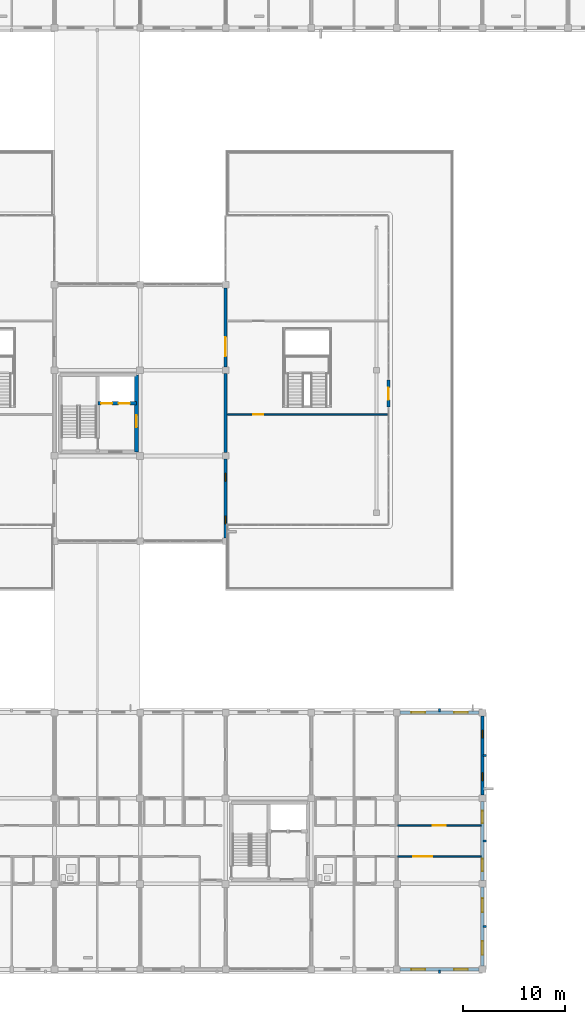
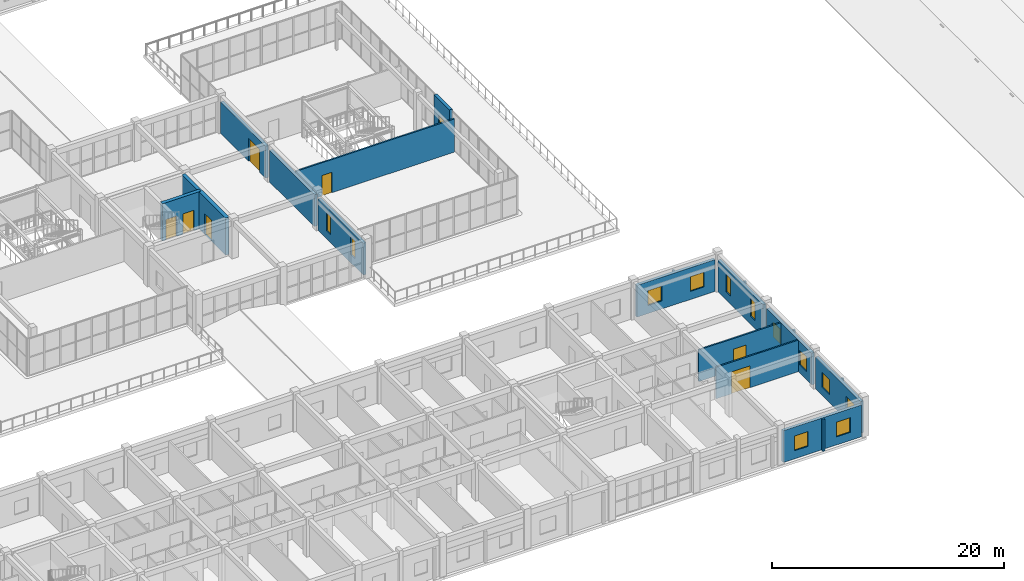
# One storey, part 67 of 90: 19 walls, 12 windows, 8 doors, 20 openings.
"""IFC4 building model written with IfcOpenShell, lengths in metres."""

import ifcopenshell
import ifcopenshell.guid

model = None  # the IFC model being written
_history = None  # IfcOwnerHistory: only IFC2X3 demands one
_inside = {}  # id of a spatial element -> (the spatial element, [elements in it])
_under = {}  # id of a project, library or spatial element -> (it, [spatial elements below it])
_declared = {}  # id of a project -> (the project, [libraries it declares])
_typed = {}  # id of a type object -> (the type object, [elements of that type])
_made_of = {}  # id of a material, layer set ... -> (it, [elements and type objects made of it])


def new_model(schema):
    """Start an empty IFC model of exactly this schema.

    Asked for "IFC4X3", IfcOpenShell would pick the latest addendum, in which some entities
    have other attributes; the version numbers below select the first issue.
    IFC2X3 requires an IfcOwnerHistory on every rooted entity: one is made here for all.
    """
    global model, _history
    if schema == "IFC4X3":
        model = ifcopenshell.file(schema_version=(4, 3, 0, 0))
    else:
        model = ifcopenshell.file(schema=schema)
    _inside.clear()
    _under.clear()
    _declared.clear()
    _typed.clear()
    _made_of.clear()
    _history = None
    if model.schema == "IFC2X3":
        org = make("IfcOrganization", Name="unknown")
        user = make(
            "IfcPersonAndOrganization",
            ThePerson=make("IfcPerson", FamilyName="unknown"),
            TheOrganization=org,
        )
        app = make(
            "IfcApplication",
            ApplicationDeveloper=org,
            Version="unknown",
            ApplicationFullName="unknown",
            ApplicationIdentifier="unknown",
        )
        _history = make(
            "IfcOwnerHistory",
            OwningUser=user,
            OwningApplication=app,
            ChangeAction="ADDED",
            CreationDate=0,
        )
    return model


def make(cls, **values):
    """One entity of the class cls with the attributes given. An attribute that is None is left unset."""
    return model.create_entity(
        cls, **{name: value for name, value in values.items() if value is not None}
    )


def rooted(cls, **values):
    """An entity with a GlobalId (a new one), such as an element, a storey or a relation."""
    return make(cls, GlobalId=ifcopenshell.guid.new(), OwnerHistory=_history, **values)


def si_unit(unit_type, name, prefix=None):
    """IfcSIUnit, for example si_unit("LENGTHUNIT", "METRE", prefix="MILLI")."""
    return make("IfcSIUnit", UnitType=unit_type, Prefix=prefix, Name=name)


def assignment(units):
    """IfcUnitAssignment: the units of a project."""
    return None if units is None else make("IfcUnitAssignment", Units=units)


def point(xyz):
    """IfcCartesianPoint."""
    return None if xyz is None else make("IfcCartesianPoint", Coordinates=xyz)


def direction(xyz):
    """IfcDirection."""
    return None if xyz is None else make("IfcDirection", DirectionRatios=xyz)


def frame(location, z_axis=None, x_axis=None):
    """IfcAxis2Placement3D, a coordinate frame: its origin and axes. An axis left out is left unset."""
    return make(
        "IfcAxis2Placement3D",
        Location=point(location),
        Axis=direction(z_axis),
        RefDirection=direction(x_axis),
    )


def frame_2d(location, x_axis=None):
    """IfcAxis2Placement2D, a coordinate frame in the plane: its origin and x axis."""
    return make(
        "IfcAxis2Placement2D", Location=point(location), RefDirection=direction(x_axis)
    )


def origin():
    """The frame at (0, 0, 0) with its axes left unset."""
    return frame((0.0, 0.0, 0.0))


def place(relative_to, where):
    """IfcLocalPlacement: puts the frame where relative to a parent placement (None: the world)."""
    return make(
        "IfcLocalPlacement", PlacementRelTo=relative_to, RelativePlacement=where
    )


def context(
    kind, dimensions, precision=None, world=None, true_north=None, identifier=None
):
    """IfcGeometricRepresentationContext, for example the 3D "Model" context."""
    return make(
        "IfcGeometricRepresentationContext",
        ContextIdentifier=identifier,
        ContextType=kind,
        CoordinateSpaceDimension=dimensions,
        Precision=precision,
        WorldCoordinateSystem=world,
        TrueNorth=true_north,
    )


def subcontext(parent, identifier, kind, view, scale=None):
    """IfcGeometricRepresentationSubContext, for example "Body" below "Model"."""
    return make(
        "IfcGeometricRepresentationSubContext",
        ContextIdentifier=identifier,
        ContextType=kind,
        ParentContext=parent,
        TargetScale=scale,
        TargetView=view,
    )


def project(units=None, contexts=None):
    """IfcProject with its units and contexts."""
    return rooted(
        "IfcProject",
        Name="project",
        RepresentationContexts=contexts,
        UnitsInContext=assignment(units),
    )


def spatial(cls, under=None, at=None, **own):
    """A site, building, storey or space (cls), placed at a placement, below another one or the project."""
    s = rooted(cls, ObjectPlacement=at, **own)
    if under is not None:
        _under.setdefault(under.id(), (under, []))[1].append(s)
    return s


def profile(cls, at=None, kind="AREA", **sizes):
    """A parametric profile (cls). Its sizes go by their IFC names, for example OverallWidth=200.0."""
    return make(cls, ProfileType=kind, Position=at, **sizes)


def rectangle(**sizes):
    """IfcRectangleProfileDef."""
    return profile("IfcRectangleProfileDef", **sizes)


def extrude(swept, where, along, depth):
    """IfcExtrudedAreaSolid: the profile swept, set in the frame where, extruded along a direction by depth."""
    return make(
        "IfcExtrudedAreaSolid",
        SweptArea=swept,
        Position=where,
        ExtrudedDirection=direction(along),
        Depth=depth,
    )


def shape(context_of_items, identifier, shape_type, items):
    """IfcShapeRepresentation: the items that make up one representation, for example the "Body"."""
    return make(
        "IfcShapeRepresentation",
        ContextOfItems=context_of_items,
        RepresentationIdentifier=identifier,
        RepresentationType=shape_type,
        Items=items,
    )


def material(Name=None, Category=None):
    """IfcMaterial."""
    return make("IfcMaterial", Name=Name, Category=Category)


def layer(
    of_material, thickness, ventilated=None, Name=None, Category=None, Priority=None
):
    """IfcMaterialLayer: one layer of a wall or slab, of a material (None: an air gap)."""
    return make(
        "IfcMaterialLayer",
        Material=of_material,
        LayerThickness=thickness,
        IsVentilated=ventilated,
        Name=Name,
        Category=Category,
        Priority=Priority,
    )


def layer_set(layers, Name=None):
    """IfcMaterialLayerSet."""
    return make("IfcMaterialLayerSet", MaterialLayers=layers, LayerSetName=Name)


def made_of(thing, what):
    """Note that an element or type object is made of a material, layer set ...; save() writes the relation."""
    if what is not None:
        _made_of.setdefault(what.id(), (what, []))[1].append(thing)
    return thing


def type_object(cls, material=None, **own):
    """A type object (cls), such as IfcWallType, which elements share."""
    return made_of(rooted(cls, **own), material)


def element(
    cls,
    number,
    at=None,
    inside=None,
    cuts=None,
    type_object=None,
    material=None,
    context=None,
    identifier="Body",
    shape_type=None,
    held_by="IfcProductDefinitionShape",
    body=None,
    shapes=None,
    **own,
):
    """One element of the class cls, such as IfcWall. Its Tag is "e" and its number.

    at: its placement. inside: the storey or other place that contains it. cuts: it is an
    opening in that element (IfcRelVoidsElement). A single representation is given by context,
    identifier, shape_type and body (its items); several are given by shapes. held_by: the class
    of the entity that holds the representations. save() writes the other relations.
    """
    e = rooted(cls, Tag="e%d" % number, ObjectPlacement=at, **own)
    if body is not None:
        shapes = [shape(context, identifier, shape_type, body)]
    if shapes is not None:
        e.Representation = make(held_by, Representations=shapes)
    if inside is not None:
        _inside.setdefault(inside.id(), (inside, []))[1].append(e)
    if cuts is not None:
        rooted(
            "IfcRelVoidsElement", RelatingBuildingElement=cuts, RelatedOpeningElement=e
        )
    if type_object is not None:
        _typed.setdefault(type_object.id(), (type_object, []))[1].append(e)
    return made_of(e, material)


def fill(opening, filler):
    """IfcRelFillsElement: the door or window that sits in an opening."""
    return rooted(
        "IfcRelFillsElement",
        RelatingOpeningElement=opening,
        RelatedBuildingElement=filler,
    )


def aggregate(whole, parts):
    """IfcRelAggregates: a whole, such as a stair, and the parts it consists of."""
    return rooted("IfcRelAggregates", RelatingObject=whole, RelatedObjects=parts)


def save(model, path):
    """Write the relations noted so far, then the file.

    IfcRelAggregates (storeys below a building ...), IfcRelContainedInSpatialStructure (elements
    in a storey), IfcRelDefinesByType, IfcRelAssociatesMaterial and IfcRelDeclares: one each for
    every whole, place, type object, material and project.
    """
    for whole, parts in _under.values():
        aggregate(whole, parts)
    for where, things in _inside.values():
        rooted(
            "IfcRelContainedInSpatialStructure",
            RelatedElements=things,
            RelatingStructure=where,
        )
    for kind, things in _typed.values():
        rooted("IfcRelDefinesByType", RelatedObjects=things, RelatingType=kind)
    for what, things in _made_of.values():
        rooted("IfcRelAssociatesMaterial", RelatedObjects=things, RelatingMaterial=what)
    for by, libraries in _declared.values():
        rooted("IfcRelDeclares", RelatingContext=by, RelatedDefinitions=libraries)
    model.write(path)


model = new_model("IFC4")

# Units and contexts
model_context = context("Model", 3, precision=1e-05, world=origin(), true_north=direction((0.0, 1.0)))
body_context = subcontext(model_context, "Body", "Model", "MODEL_VIEW")
ifc_project = project(units=[si_unit("LENGTHUNIT", "METRE"), si_unit("AREAUNIT", "SQUARE_METRE"), si_unit("VOLUMEUNIT", "CUBIC_METRE"), si_unit("PLANEANGLEUNIT", "RADIAN"), si_unit("MASSUNIT", "GRAM", prefix="KILO")], contexts=[model_context])

# Site, building, storey
site_placement = place(None, origin())
site = spatial("IfcSite", under=ifc_project, at=site_placement, CompositionType="ELEMENT")
building_placement = place(site_placement, origin())
building = spatial("IfcBuilding", under=site, at=building_placement, Name="Trelvath General Hospital", CompositionType="ELEMENT")
storey_placement = place(building_placement, frame((0.0, 0.0, 20.39990234375)))
storey = spatial("IfcBuildingStorey", under=building, at=storey_placement, Name="L05", CompositionType="ELEMENT", Elevation=20.39990234375)

# Walls
ifc_material_1 = material(Name="Precast concrete C40/50", Category="concrete")
ifc_layer_1 = layer(ifc_material_1, 0.199951171875)
ifc_layer_set_1 = layer_set([ifc_layer_1], Name="Precast concrete C40/50")
wall_type_1 = type_object("IfcWallType", Name="BriseSoleilRib 200", PredefinedType="ELEMENTEDWALL", material=ifc_layer_set_1)
wall_1_placement = place(storey_placement, frame((113.39990234375, -0.074951171875, 0.0), z_axis=(0.0, 0.0, 1.0), x_axis=(0.0, -1.0, 0.0)))
element("IfcWall", 1, at=wall_1_placement, inside=storey, type_object=wall_type_1, Name="Precast Concrete Brise-Soleil Rib Fin L05-396", PredefinedType="ELEMENTEDWALL", context=body_context, shape_type="SweptSolid", body=[
    extrude(rectangle(XDim=0.340087890625, YDim=0.199951171875, at=frame_2d((0.169921875, 0.0))), origin(), (0.0, 0.0, 1.0), 3.320068359375),
])
for number, where, z_axis, x_axis, name in (
    (2, (117.675048828125, 4.199951171875, 0.0), (0.0, 0.0, 1.0), (1.0, 0.0, 0.0), "Precast Concrete Brise-Soleil Rib Fin L05-397"),
    (3, (117.675048828125, 12.60009765625, 0.0), (0.0, 0.0, 1.0), (1.0, 0.0, 0.0), "Precast Concrete Brise-Soleil Rib Fin L05-398"),
):
    element("IfcWall", number, at=place(storey_placement, frame(where, z_axis=z_axis, x_axis=x_axis)), inside=storey, type_object=wall_type_1, Name=name, PredefinedType="ELEMENTEDWALL", context=body_context, shape_type="SweptSolid", body=[
        extrude(rectangle(XDim=0.33984375, YDim=0.199951171875, at=frame_2d((0.169921875, 0.0))), origin(), (0.0, 0.0, 1.0), 3.320068359375),
    ])
wall_2_placement = place(storey_placement, frame((113.39990234375, 25.27490234375, 0.0), z_axis=(0.0, 0.0, 1.0), x_axis=(0.0, 1.0, 0.0)))
element("IfcWall", 4, at=wall_2_placement, inside=storey, type_object=wall_type_1, Name="Precast Concrete Brise-Soleil Rib Fin L05-399", PredefinedType="ELEMENTEDWALL", context=body_context, shape_type="SweptSolid", body=[
    extrude(rectangle(XDim=0.340087890625, YDim=0.199951171875, at=frame_2d((0.169921875, 0.0))), origin(), (0.0, 0.0, 1.0), 3.320068359375),
])
wall_3_placement = place(storey_placement, frame((117.675048828125, 21.0, 0.0), z_axis=(0.0, 0.0, 1.0), x_axis=(1.0, 0.0, 0.0)))
element("IfcWall", 5, at=wall_3_placement, inside=storey, type_object=wall_type_1, Name="Precast Concrete Brise-Soleil Rib Fin L05-400", PredefinedType="ELEMENTEDWALL", context=body_context, shape_type="SweptSolid", body=[
    extrude(rectangle(XDim=0.33984375, YDim=0.199951171875, at=frame_2d((0.169921875, 0.0))), origin(), (0.0, 0.0, 1.0), 3.320068359375),
])

# Wall, opening, door
ifc_material_2 = material(Name="Gypsum acoustic steel-stud partition", Category="steel")
ifc_layer_2 = layer(ifc_material_2, 0.14990234375)
ifc_layer_set_2 = layer_set([ifc_layer_2], Name="Gypsum acoustic steel-stud partition")
wall_type_2 = type_object("IfcWallType", Name="ClinicalPartition 150", PredefinedType="PARTITIONING", material=ifc_layer_set_2)
wall_4_placement = place(storey_placement, frame((109.280029296875, 11.10009765625, 0.0), z_axis=(0.0, 0.0, 1.0), x_axis=(1.0, 0.0, 0.0)))
wall_4 = element("IfcWall", 6, at=wall_4_placement, inside=storey, type_object=wall_type_2, Name="Corridor Partition L05-1862", PredefinedType="PARTITIONING", context=body_context, shape_type="SweptSolid", body=[
    extrude(rectangle(XDim=8.179931640625, YDim=0.14990234375, at=frame_2d((4.08984375, 0.0))), origin(), (0.0, 0.0, 1.0), 3.320068359375),
])
opening_1_placement = place(wall_4_placement, frame((1.530029296875, 0.0, 0.0)))
opening_1 = element("IfcOpeningElement", 7, at=opening_1_placement, cuts=wall_4, Name="Opening D-5-1221", PredefinedType="OPENING", context=body_context, shape_type="SweptSolid", body=[
    extrude(rectangle(XDim=1.85009765625, YDim=2.300048828125, at=frame_2d((0.925048828125, 1.14990234375))), frame((0.0, 0.0849609375, 0.0), z_axis=(0.0, -1.0, 0.0), x_axis=(1.0, 0.0, 0.0)), (0.0, 0.0, 1.0), 0.169921875),
])
ifc_material_3 = material(Name="Fire-rated steel cross-corridor pair", Category="steel")
door_type_1 = type_object("IfcDoorType", Name="Door SmokeCross 1850x2300", OperationType="DOUBLE_SWING_LEFT", PredefinedType="DOOR", material=ifc_material_3)
door_1_placement = place(opening_1_placement, origin())
door_1 = element("IfcDoor", 8, at=door_1_placement, inside=storey, type_object=door_type_1, Name="Waiting Lounge Door L05-1221", OperationType="DOUBLE_SWING_LEFT", OverallHeight=2.300048828125, OverallWidth=1.85009765625, PredefinedType="DOOR", context=body_context, shape_type="SweptSolid", body=[
    extrude(rectangle(XDim=1.85009765625, YDim=2.300048828125, at=frame_2d((0.925048828125, 1.14990234375))), frame((0.0, 0.02490234375, 0.0), z_axis=(0.0, -1.0, 0.0), x_axis=(1.0, 0.0, 0.0)), (0.0, 0.0, 1.0), 0.050048828125),
])
fill(opening_1, door_1)

wall_5_placement = place(storey_placement, frame((117.4599609375, 14.10009765625, 0.0), z_axis=(0.0, 0.0, 1.0), x_axis=(-1.0, 0.0, 0.0)))
wall_5 = element("IfcWall", 9, at=wall_5_placement, inside=storey, type_object=wall_type_2, Name="Corridor Partition N L05-1863", PredefinedType="PARTITIONING", context=body_context, shape_type="SweptSolid", body=[
    extrude(rectangle(XDim=8.179931640625, YDim=0.14990234375, at=frame_2d((4.08984375, 0.0))), origin(), (0.0, 0.0, 1.0), 3.320068359375),
])
opening_2_placement = place(wall_5_placement, frame((3.465087890625, 0.0, 0.0)))
opening_2 = element("IfcOpeningElement", 10, at=opening_2_placement, cuts=wall_5, Name="Opening D-5-1222", PredefinedType="OPENING", context=body_context, shape_type="SweptSolid", body=[
    extrude(rectangle(XDim=1.25, YDim=2.199951171875, at=frame_2d((0.625, 1.10009765625))), frame((0.0, 0.0849609375, 0.0), z_axis=(0.0, -1.0, 0.0), x_axis=(1.0, 0.0, 0.0)), (0.0, 0.0, 1.0), 0.169921875),
])
ifc_material_4 = material(Name="Acoustic hospital timber leaf", Category="wood")
door_type_2 = type_object("IfcDoorType", Name="Door Treatment 1250x2200", OperationType="NOTDEFINED", PredefinedType="DOOR", material=ifc_material_4)
door_2_placement = place(opening_2_placement, origin())
door_2 = element("IfcDoor", 11, at=door_2_placement, inside=storey, type_object=door_type_2, Name="Clinical Room Door L05-1222", OperationType="SINGLE_SWING_RIGHT", OverallHeight=2.199951171875, OverallWidth=1.25, PredefinedType="DOOR", context=body_context, shape_type="SweptSolid", body=[
    extrude(rectangle(XDim=1.25, YDim=2.199951171875, at=frame_2d((0.625, 1.10009765625))), frame((0.0, 0.02490234375, 0.0), z_axis=(0.0, -1.0, 0.0), x_axis=(1.0, 0.0, 0.0)), (0.0, 0.0, 1.0), 0.050048828125),
])
fill(opening_2, door_2)

wall_6_placement = place(storey_placement, frame((92.5, 54.449951171875, 0.0), z_axis=(0.0, 0.0, 1.0), x_axis=(1.0, 0.0, 0.0)))
wall_6 = element("IfcWall", 12, at=wall_6_placement, inside=storey, type_object=wall_type_2, Name="Cube Clinic CUBE-E Partition L05-2029", PredefinedType="PARTITIONING", context=body_context, shape_type="SweptSolid", body=[
    extrude(rectangle(XDim=15.800048828125, YDim=0.14990234375, at=frame_2d((7.89990234375, 0.0))), origin(), (0.0, 0.0, 1.0), 3.489990234375),
])
opening_3_placement = place(wall_6_placement, frame((2.60009765625, 0.0, 0.0)))
opening_3 = element("IfcOpeningElement", 13, at=opening_3_placement, cuts=wall_6, Name="Opening DC-5-1305", PredefinedType="OPENING", context=body_context, shape_type="SweptSolid", body=[
    extrude(rectangle(XDim=1.0, YDim=2.14990234375, at=frame_2d((0.5, 1.074951171875))), frame((0.0, 0.0849609375, 0.0), z_axis=(0.0, -1.0, 0.0), x_axis=(1.0, 0.0, 0.0)), (0.0, 0.0, 1.0), 0.169921875),
])
ifc_material_5 = material(Name="Acoustic hospital timber leaf", Category="wood")
door_type_3 = type_object("IfcDoorType", Name="Door Consult 1000x2150", OperationType="NOTDEFINED", PredefinedType="DOOR", material=ifc_material_5)
door_3_placement = place(opening_3_placement, origin())
door_3 = element("IfcDoor", 14, at=door_3_placement, inside=storey, type_object=door_type_3, Name="Cube Clinic CUBE-E Door L05-1305", OperationType="SINGLE_SWING_LEFT", OverallHeight=2.14990234375, OverallWidth=1.0, PredefinedType="DOOR", context=body_context, shape_type="SweptSolid", body=[
    extrude(rectangle(XDim=1.0, YDim=2.14990234375, at=frame_2d((0.5, 1.074951171875))), frame((0.0, 0.02490234375, 0.0), z_axis=(0.0, -1.0, 0.0), x_axis=(1.0, 0.0, 0.0)), (0.0, 0.0, 1.0), 0.050048828125),
])
fill(opening_3, door_3)

ifc_material_6 = material(Name="Concrete C40/50", Category="concrete")
ifc_layer_3 = layer(ifc_material_6, 0.35009765625)
ifc_layer_set_3 = layer_set([ifc_layer_3], Name="Concrete C40/50")
wall_type_3 = type_object("IfcWallType", Name="CoreShearWall 350", PredefinedType="SHEAR", material=ifc_layer_set_3)
wall_7_placement = place(storey_placement, frame((83.64990234375, 50.800048828125, 0.0), z_axis=(0.0, 0.0, 1.0), x_axis=(0.0, 1.0, 0.0)))
wall_7 = element("IfcWall", 15, at=wall_7_placement, inside=storey, type_object=wall_type_3, Name="Core Shear Wall C6 E L05", PredefinedType="SHEAR", context=body_context, shape_type="SweptSolid", body=[
    extrude(rectangle(XDim=7.550048828125, YDim=0.35009765625, at=frame_2d((3.77490234375, 0.0))), origin(), (0.0, 0.0, 1.0), 3.920166015625),
])
opening_4_placement = place(wall_7_placement, frame((2.39990234375, 0.0, 0.0)))
opening_4 = element("IfcOpeningElement", 16, at=opening_4_placement, cuts=wall_7, Name="Opening FD-LE65", PredefinedType="OPENING", context=body_context, shape_type="SweptSolid", body=[
    extrude(rectangle(XDim=1.199951171875, YDim=2.199951171875, at=frame_2d((0.60009765625, 1.10009765625))), frame((0.0, 0.18505859375, 0.0), z_axis=(0.0, -1.0, 0.0), x_axis=(1.0, 0.0, 0.0)), (0.0, 0.0, 1.0), 0.3701171875),
])
ifc_material_7 = material(Name="Fire-rated steel door", Category="steel")
door_type_4 = type_object("IfcDoorType", Name="Door FireLobby 1200x2200", OperationType="NOTDEFINED", PredefinedType="DOOR", material=ifc_material_7)
door_4_placement = place(opening_4_placement, origin())
door_4 = element("IfcDoor", 17, at=door_4_placement, inside=storey, type_object=door_type_4, Name="Fire Lobby East Corridor Door C6 L05", OperationType="SINGLE_SWING_LEFT", OverallHeight=2.199951171875, OverallWidth=1.199951171875, PredefinedType="DOOR", context=body_context, shape_type="SweptSolid", body=[
    extrude(rectangle(XDim=1.199951171875, YDim=2.199951171875, at=frame_2d((0.60009765625, 1.10009765625))), frame((0.0, 0.02490234375, 0.0), z_axis=(0.0, -1.0, 0.0), x_axis=(1.0, 0.0, 0.0)), (0.0, 0.0, 1.0), 0.050048828125),
])
fill(opening_4, door_4)

# Wall, openings, doors
wall_8_placement = place(storey_placement, frame((79.85009765625, 55.550048828125, 0.0), z_axis=(0.0, 0.0, 1.0), x_axis=(1.0, 0.0, 0.0)))
wall_8 = element("IfcWall", 18, at=wall_8_placement, inside=storey, type_object=wall_type_3, Name="Core Shear Wall C6 SHAFT L05", PredefinedType="SHEAR", context=body_context, shape_type="SweptSolid", body=[
    extrude(rectangle(XDim=3.7998046875, YDim=0.35009765625, at=frame_2d((1.89990234375, 0.0))), origin(), (0.0, 0.0, 1.0), 3.920166015625),
])
opening_5_placement = place(wall_8_placement, frame((0.320068359375, 0.0, 0.0)))
opening_5 = element("IfcOpeningElement", 19, at=opening_5_placement, cuts=wall_8, Name="Opening LD-PA3-5", PredefinedType="OPENING", context=body_context, shape_type="SweptSolid", body=[
    extrude(rectangle(XDim=1.10009765625, YDim=2.14990234375, at=frame_2d((0.550048828125, 1.074951171875))), frame((0.0, 0.18505859375, 0.0), z_axis=(0.0, -1.0, 0.0), x_axis=(1.0, 0.0, 0.0)), (0.0, 0.0, 1.0), 0.3701171875),
])
opening_6_placement = place(wall_8_placement, frame((2.0400390625, 0.0, 0.0)))
opening_6 = element("IfcOpeningElement", 20, at=opening_6_placement, cuts=wall_8, Name="Opening LD-PA4-5", PredefinedType="OPENING", context=body_context, shape_type="SweptSolid", body=[
    extrude(rectangle(XDim=1.10009765625, YDim=2.14990234375, at=frame_2d((0.550048828125, 1.074951171875))), frame((0.0, 0.18505859375, 0.0), z_axis=(0.0, -1.0, 0.0), x_axis=(1.0, 0.0, 0.0)), (0.0, 0.0, 1.0), 0.3701171875),
])
ifc_material_8 = material(Name="Stainless steel lift landing sliding door", Category="steel")
door_type_5 = type_object("IfcDoorType", Name="Door LiftLanding 1100x2150", OperationType="SLIDING_TO_LEFT", PredefinedType="DOOR", material=ifc_material_8)
door_5_placement = place(opening_5_placement, origin())
door_5 = element("IfcDoor", 21, at=door_5_placement, inside=storey, type_object=door_type_5, Name="Lift Landing Sliding Door LF-PA3 L05", OperationType="SLIDING_TO_LEFT", OverallHeight=2.14990234375, OverallWidth=1.10009765625, PredefinedType="DOOR", context=body_context, shape_type="SweptSolid", body=[
    extrude(rectangle(XDim=1.10009765625, YDim=2.14990234375, at=frame_2d((0.550048828125, 1.074951171875))), frame((0.0, 0.02490234375, 0.0), z_axis=(0.0, -1.0, 0.0), x_axis=(1.0, 0.0, 0.0)), (0.0, 0.0, 1.0), 0.050048828125),
])
fill(opening_5, door_5)
door_6_placement = place(opening_6_placement, origin())
door_6 = element("IfcDoor", 22, at=door_6_placement, inside=storey, type_object=door_type_5, Name="Lift Landing Sliding Door LF-PA4 L05", OperationType="SLIDING_TO_LEFT", OverallHeight=2.14990234375, OverallWidth=1.10009765625, PredefinedType="DOOR", context=body_context, shape_type="SweptSolid", body=[
    extrude(rectangle(XDim=1.10009765625, YDim=2.14990234375, at=frame_2d((0.550048828125, 1.074951171875))), frame((0.0, 0.02490234375, 0.0), z_axis=(0.0, -1.0, 0.0), x_axis=(1.0, 0.0, 0.0)), (0.0, 0.0, 1.0), 0.050048828125),
])
fill(opening_6, door_6)

# Wall, openings, windows
ifc_material_9 = material(Name="Concrete C35/45", Category="concrete")
ifc_layer_4 = layer(ifc_material_9, 0.2900390625)
ifc_layer_set_4 = layer_set([ifc_layer_4], Name="Concrete C35/45")
wall_type_4 = type_object("IfcWallType", Name="ExtBushHammeredWall 290", PredefinedType="SOLIDWALL", material=ifc_layer_set_4)
wall_9_placement = place(storey_placement, frame((92.39990234375, 50.080078125, 0.0), z_axis=(0.0, 0.0, 1.0), x_axis=(0.0, -1.0, 0.0)))
wall_9 = element("IfcWall", 23, at=wall_9_placement, inside=storey, type_object=wall_type_4, Name="Exterior Concrete Wall L05-525", PredefinedType="SOLIDWALL", context=body_context, shape_type="SweptSolid", body=[
    extrude(rectangle(XDim=7.760009765625, YDim=0.2900390625, at=frame_2d((3.8798828125, 0.0))), origin(), (0.0, 0.0, 1.0), 3.340087890625),
])
opening_7_placement = place(wall_9_placement, frame((1.409912109375, 0.0, 0.85009765625)))
opening_7 = element("IfcOpeningElement", 24, at=opening_7_placement, cuts=wall_9, Name="Opening WN-5-871", PredefinedType="OPENING", context=body_context, shape_type="SweptSolid", body=[
    extrude(rectangle(XDim=0.75, YDim=1.85009765625, at=frame_2d((0.375, 0.925048828125))), frame((0.0, 0.155029296875, 0.0), z_axis=(0.0, -1.0, 0.0), x_axis=(1.0, 0.0, 0.0)), (0.0, 0.0, 1.0), 0.31005859375),
])
opening_8_placement = place(wall_9_placement, frame((5.60009765625, 0.0, 0.85009765625)))
opening_8 = element("IfcOpeningElement", 25, at=opening_8_placement, cuts=wall_9, Name="Opening WN-5-872", PredefinedType="OPENING", context=body_context, shape_type="SweptSolid", body=[
    extrude(rectangle(XDim=0.75, YDim=1.85009765625, at=frame_2d((0.375, 0.925048828125))), frame((0.0, 0.155029296875, 0.0), z_axis=(0.0, -1.0, 0.0), x_axis=(1.0, 0.0, 0.0)), (0.0, 0.0, 1.0), 0.31005859375),
])
ifc_material_10 = material(Name="Low-E laminated glass", Category="glass")
window_type_1 = type_object("IfcWindowType", Name="Window SunSlot 750x1850", PartitioningType="SINGLE_PANEL", PredefinedType="WINDOW", material=ifc_material_10)
window_1_placement = place(opening_7_placement, origin())
window_1 = element("IfcWindow", 26, at=window_1_placement, inside=storey, type_object=window_type_1, Name="Solar Reveal Window L05-871", OverallHeight=1.85009765625, OverallWidth=0.75, PartitioningType="SINGLE_PANEL", PredefinedType="WINDOW", context=body_context, shape_type="SweptSolid", body=[
    extrude(rectangle(XDim=0.75, YDim=1.85009765625, at=frame_2d((0.375, 0.925048828125))), frame((0.0, 0.030029296875, 0.0), z_axis=(0.0, -1.0, 0.0), x_axis=(1.0, 0.0, 0.0)), (0.0, 0.0, 1.0), 0.06005859375),
])
fill(opening_7, window_1)
window_2_placement = place(opening_8_placement, origin())
window_2 = element("IfcWindow", 27, at=window_2_placement, inside=storey, type_object=window_type_1, Name="Solar Reveal Window L05-872", OverallHeight=1.85009765625, OverallWidth=0.75, PartitioningType="SINGLE_PANEL", PredefinedType="WINDOW", context=body_context, shape_type="SweptSolid", body=[
    extrude(rectangle(XDim=0.75, YDim=1.85009765625, at=frame_2d((0.375, 0.925048828125))), frame((0.0, 0.030029296875, 0.0), z_axis=(0.0, -1.0, 0.0), x_axis=(1.0, 0.0, 0.0)), (0.0, 0.0, 1.0), 0.06005859375),
])
fill(opening_8, window_2)

# Wall
wall_10_placement = place(storey_placement, frame((92.39990234375, 58.47998046875, 0.0), z_axis=(0.0, 0.0, 1.0), x_axis=(0.0, -1.0, 0.0)))
element("IfcWall", 28, at=wall_10_placement, inside=storey, type_object=wall_type_4, Name="Exterior Concrete Wall L05-526", PredefinedType="SOLIDWALL", context=body_context, shape_type="SweptSolid", body=[
    extrude(rectangle(XDim=7.760009765625, YDim=0.2900390625, at=frame_2d((3.8798828125, 0.0))), origin(), (0.0, 0.0, 1.0), 3.340087890625),
])

# Wall, opening, door
wall_11_placement = place(storey_placement, frame((92.39990234375, 66.8798828125, 0.0), z_axis=(0.0, 0.0, 1.0), x_axis=(0.0, -1.0, 0.0)))
wall_11 = element("IfcWall", 29, at=wall_11_placement, inside=storey, type_object=wall_type_4, Name="Exterior Concrete Wall L05-527", PredefinedType="SOLIDWALL", context=body_context, shape_type="SweptSolid", body=[
    extrude(rectangle(XDim=7.759765625, YDim=0.2900390625, at=frame_2d((3.8798828125, 0.0))), origin(), (0.0, 0.0, 1.0), 3.340087890625),
])
opening_9_placement = place(wall_11_placement, frame((4.830078125, 0.0, 0.0)))
opening_9 = element("IfcOpeningElement", 30, at=opening_9_placement, cuts=wall_11, Name="Opening CP-5-065", PredefinedType="OPENING", context=body_context, shape_type="SweptSolid", body=[
    extrude(rectangle(XDim=1.89990234375, YDim=2.39990234375, at=frame_2d((0.949951171875, 1.199951171875))), frame((0.0, 0.155029296875, 0.0), z_axis=(0.0, -1.0, 0.0), x_axis=(1.0, 0.0, 0.0)), (0.0, 0.0, 1.0), 0.31005859375),
])
ifc_material_11 = material(Name="Thermally broken glazed aluminium pair", Category="aluminium")
door_type_6 = type_object("IfcDoorType", Name="Door BridgeEntry 1900x2400", OperationType="DOUBLE_SWING_LEFT", PredefinedType="DOOR", material=ifc_material_11)
door_7_placement = place(opening_9_placement, origin())
door_7 = element("IfcDoor", 31, at=door_7_placement, inside=storey, type_object=door_type_6, Name="Crystal Cube Concourse Portal Door L05-65", OperationType="DOUBLE_SWING_LEFT", OverallHeight=2.39990234375, OverallWidth=1.89990234375, PredefinedType="DOOR", context=body_context, shape_type="SweptSolid", body=[
    extrude(rectangle(XDim=1.89990234375, YDim=2.39990234375, at=frame_2d((0.949951171875, 1.199951171875))), frame((0.0, 0.02490234375, 0.0), z_axis=(0.0, -1.0, 0.0), x_axis=(1.0, 0.0, 0.0)), (0.0, 0.0, 1.0), 0.050048828125),
])
fill(opening_9, door_7)

# Wall, openings, windows
wall_12_placement = place(storey_placement, frame((117.280029296875, 0.0, 0.0), z_axis=(0.0, 0.0, 1.0), x_axis=(-1.0, 0.0, 0.0)))
wall_12 = element("IfcWall", 32, at=wall_12_placement, inside=storey, type_object=wall_type_4, Name="Exterior Concrete Wall L05-536", PredefinedType="SOLIDWALL", context=body_context, shape_type="SweptSolid", body=[
    extrude(rectangle(XDim=7.760009765625, YDim=0.2900390625, at=frame_2d((3.8798828125, 0.0))), origin(), (0.0, 0.0, 1.0), 3.340087890625),
])
opening_10_placement = place(wall_12_placement, frame((1.10986328125, 0.0, 0.85009765625)))
opening_10 = element("IfcOpeningElement", 33, at=opening_10_placement, cuts=wall_12, Name="Opening WN-5-889", PredefinedType="OPENING", context=body_context, shape_type="SweptSolid", body=[
    extrude(rectangle(XDim=1.35009765625, YDim=1.550048828125, at=frame_2d((0.675048828125, 0.77490234375))), frame((0.0, 0.155029296875, 0.0), z_axis=(0.0, -1.0, 0.0), x_axis=(1.0, 0.0, 0.0)), (0.0, 0.0, 1.0), 0.31005859375),
])
opening_11_placement = place(wall_12_placement, frame((5.30029296875, 0.0, 0.85009765625)))
opening_11 = element("IfcOpeningElement", 34, at=opening_11_placement, cuts=wall_12, Name="Opening WN-5-890", PredefinedType="OPENING", context=body_context, shape_type="SweptSolid", body=[
    extrude(rectangle(XDim=1.35009765625, YDim=1.550048828125, at=frame_2d((0.675048828125, 0.77490234375))), frame((0.0, 0.155029296875, 0.0), z_axis=(0.0, -1.0, 0.0), x_axis=(1.0, 0.0, 0.0)), (0.0, 0.0, 1.0), 0.31005859375),
])
ifc_material_12 = material(Name="Low-E laminated glass", Category="glass")
window_type_2 = type_object("IfcWindowType", Name="Window WardSouth 1350x1550", PartitioningType="SINGLE_PANEL", PredefinedType="WINDOW", material=ifc_material_12)
window_3_placement = place(opening_10_placement, origin())
window_3 = element("IfcWindow", 35, at=window_3_placement, inside=storey, type_object=window_type_2, Name="Solar Reveal Window L05-889", OverallHeight=1.550048828125, OverallWidth=1.35009765625, PartitioningType="SINGLE_PANEL", PredefinedType="WINDOW", context=body_context, shape_type="SweptSolid", body=[
    extrude(rectangle(XDim=1.35009765625, YDim=1.550048828125, at=frame_2d((0.675048828125, 0.77490234375))), frame((0.0, 0.030029296875, 0.0), z_axis=(0.0, -1.0, 0.0), x_axis=(1.0, 0.0, 0.0)), (0.0, 0.0, 1.0), 0.06005859375),
])
fill(opening_10, window_3)
window_4_placement = place(opening_11_placement, origin())
window_4 = element("IfcWindow", 36, at=window_4_placement, inside=storey, type_object=window_type_2, Name="Solar Reveal Window L05-890", OverallHeight=1.550048828125, OverallWidth=1.35009765625, PartitioningType="SINGLE_PANEL", PredefinedType="WINDOW", context=body_context, shape_type="SweptSolid", body=[
    extrude(rectangle(XDim=1.35009765625, YDim=1.550048828125, at=frame_2d((0.675048828125, 0.77490234375))), frame((0.0, 0.030029296875, 0.0), z_axis=(0.0, -1.0, 0.0), x_axis=(1.0, 0.0, 0.0)), (0.0, 0.0, 1.0), 0.06005859375),
])
fill(opening_11, window_4)

wall_13_placement = place(storey_placement, frame((117.60009765625, 8.080078125, 0.0), z_axis=(0.0, 0.0, 1.0), x_axis=(0.0, -1.0, 0.0)))
wall_13 = element("IfcWall", 37, at=wall_13_placement, inside=storey, type_object=wall_type_4, Name="Exterior Concrete Wall L05-537", PredefinedType="SOLIDWALL", context=body_context, shape_type="SweptSolid", body=[
    extrude(rectangle(XDim=7.760009765625, YDim=0.2900390625, at=frame_2d((3.8798828125, 0.0))), origin(), (0.0, 0.0, 1.0), 3.340087890625),
])
opening_12_placement = place(wall_13_placement, frame((1.10986328125, 0.0, 0.85009765625)))
opening_12 = element("IfcOpeningElement", 38, at=opening_12_placement, cuts=wall_13, Name="Opening WN-5-891", PredefinedType="OPENING", context=body_context, shape_type="SweptSolid", body=[
    extrude(rectangle(XDim=1.35009765625, YDim=1.550048828125, at=frame_2d((0.675048828125, 0.77490234375))), frame((0.0, 0.155029296875, 0.0), z_axis=(0.0, -1.0, 0.0), x_axis=(1.0, 0.0, 0.0)), (0.0, 0.0, 1.0), 0.31005859375),
])
opening_13_placement = place(wall_13_placement, frame((5.30029296875, 0.0, 0.85009765625)))
opening_13 = element("IfcOpeningElement", 39, at=opening_13_placement, cuts=wall_13, Name="Opening WN-5-892", PredefinedType="OPENING", context=body_context, shape_type="SweptSolid", body=[
    extrude(rectangle(XDim=1.35009765625, YDim=1.550048828125, at=frame_2d((0.675048828125, 0.77490234375))), frame((0.0, 0.155029296875, 0.0), z_axis=(0.0, -1.0, 0.0), x_axis=(1.0, 0.0, 0.0)), (0.0, 0.0, 1.0), 0.31005859375),
])
window_5_placement = place(opening_12_placement, origin())
window_5 = element("IfcWindow", 40, at=window_5_placement, inside=storey, type_object=window_type_2, Name="Solar Reveal Window L05-891", OverallHeight=1.550048828125, OverallWidth=1.35009765625, PartitioningType="SINGLE_PANEL", PredefinedType="WINDOW", context=body_context, shape_type="SweptSolid", body=[
    extrude(rectangle(XDim=1.35009765625, YDim=1.550048828125, at=frame_2d((0.675048828125, 0.77490234375))), frame((0.0, 0.030029296875, 0.0), z_axis=(0.0, -1.0, 0.0), x_axis=(1.0, 0.0, 0.0)), (0.0, 0.0, 1.0), 0.06005859375),
])
fill(opening_12, window_5)
window_6_placement = place(opening_13_placement, origin())
window_6 = element("IfcWindow", 41, at=window_6_placement, inside=storey, type_object=window_type_2, Name="Solar Reveal Window L05-892", OverallHeight=1.550048828125, OverallWidth=1.35009765625, PartitioningType="SINGLE_PANEL", PredefinedType="WINDOW", context=body_context, shape_type="SweptSolid", body=[
    extrude(rectangle(XDim=1.35009765625, YDim=1.550048828125, at=frame_2d((0.675048828125, 0.77490234375))), frame((0.0, 0.030029296875, 0.0), z_axis=(0.0, -1.0, 0.0), x_axis=(1.0, 0.0, 0.0)), (0.0, 0.0, 1.0), 0.06005859375),
])
fill(opening_13, window_6)

wall_14_placement = place(storey_placement, frame((117.60009765625, 16.47998046875, 0.0), z_axis=(0.0, 0.0, 1.0), x_axis=(0.0, -1.0, 0.0)))
wall_14 = element("IfcWall", 42, at=wall_14_placement, inside=storey, type_object=wall_type_4, Name="Exterior Concrete Wall L05-538", PredefinedType="SOLIDWALL", context=body_context, shape_type="SweptSolid", body=[
    extrude(rectangle(XDim=7.760009765625, YDim=0.2900390625, at=frame_2d((3.8798828125, 0.0))), origin(), (0.0, 0.0, 1.0), 3.340087890625),
])
opening_14_placement = place(wall_14_placement, frame((0.925048828125, 0.0, 0.85009765625)))
opening_14 = element("IfcOpeningElement", 43, at=opening_14_placement, cuts=wall_14, Name="Opening WN-5-893", PredefinedType="OPENING", context=body_context, shape_type="SweptSolid", body=[
    extrude(rectangle(XDim=1.199951171875, YDim=1.550048828125, at=frame_2d((0.60009765625, 0.77490234375))), frame((0.0, 0.155029296875, 0.0), z_axis=(0.0, -1.0, 0.0), x_axis=(1.0, 0.0, 0.0)), (0.0, 0.0, 1.0), 0.31005859375),
])
opening_15_placement = place(wall_14_placement, frame((5.635009765625, 0.0, 0.85009765625)))
opening_15 = element("IfcOpeningElement", 44, at=opening_15_placement, cuts=wall_14, Name="Opening WN-5-894", PredefinedType="OPENING", context=body_context, shape_type="SweptSolid", body=[
    extrude(rectangle(XDim=1.199951171875, YDim=1.550048828125, at=frame_2d((0.60009765625, 0.77490234375))), frame((0.0, 0.155029296875, 0.0), z_axis=(0.0, -1.0, 0.0), x_axis=(1.0, 0.0, 0.0)), (0.0, 0.0, 1.0), 0.31005859375),
])
ifc_material_13 = material(Name="Low-E laminated glass", Category="glass")
window_type_3 = type_object("IfcWindowType", Name="Window WardSouth 1200x1550", PartitioningType="SINGLE_PANEL", PredefinedType="WINDOW", material=ifc_material_13)
window_7_placement = place(opening_14_placement, origin())
window_7 = element("IfcWindow", 45, at=window_7_placement, inside=storey, type_object=window_type_3, Name="Solar Reveal Window L05-893", OverallHeight=1.550048828125, OverallWidth=1.199951171875, PartitioningType="SINGLE_PANEL", PredefinedType="WINDOW", context=body_context, shape_type="SweptSolid", body=[
    extrude(rectangle(XDim=1.199951171875, YDim=1.550048828125, at=frame_2d((0.60009765625, 0.77490234375))), frame((0.0, 0.030029296875, 0.0), z_axis=(0.0, -1.0, 0.0), x_axis=(1.0, 0.0, 0.0)), (0.0, 0.0, 1.0), 0.06005859375),
])
fill(opening_14, window_7)
window_8_placement = place(opening_15_placement, origin())
window_8 = element("IfcWindow", 46, at=window_8_placement, inside=storey, type_object=window_type_3, Name="Solar Reveal Window L05-894", OverallHeight=1.550048828125, OverallWidth=1.199951171875, PartitioningType="SINGLE_PANEL", PredefinedType="WINDOW", context=body_context, shape_type="SweptSolid", body=[
    extrude(rectangle(XDim=1.199951171875, YDim=1.550048828125, at=frame_2d((0.60009765625, 0.77490234375))), frame((0.0, 0.030029296875, 0.0), z_axis=(0.0, -1.0, 0.0), x_axis=(1.0, 0.0, 0.0)), (0.0, 0.0, 1.0), 0.06005859375),
])
fill(opening_15, window_8)

wall_15_placement = place(storey_placement, frame((109.52001953125, 25.199951171875, 0.0), z_axis=(0.0, 0.0, 1.0), x_axis=(1.0, 0.0, 0.0)))
wall_15 = element("IfcWall", 47, at=wall_15_placement, inside=storey, type_object=wall_type_4, Name="Exterior Concrete Wall L05-539", PredefinedType="SOLIDWALL", context=body_context, shape_type="SweptSolid", body=[
    extrude(rectangle(XDim=7.760009765625, YDim=0.2900390625, at=frame_2d((3.8798828125, 0.0))), origin(), (0.0, 0.0, 1.0), 3.340087890625),
])
opening_16_placement = place(wall_15_placement, frame((1.10986328125, 0.0, 0.85009765625)))
opening_16 = element("IfcOpeningElement", 48, at=opening_16_placement, cuts=wall_15, Name="Opening WN-5-895", PredefinedType="OPENING", context=body_context, shape_type="SweptSolid", body=[
    extrude(rectangle(XDim=1.35009765625, YDim=1.550048828125, at=frame_2d((0.675048828125, 0.77490234375))), frame((0.0, 0.155029296875, 0.0), z_axis=(0.0, -1.0, 0.0), x_axis=(1.0, 0.0, 0.0)), (0.0, 0.0, 1.0), 0.31005859375),
])
opening_17_placement = place(wall_15_placement, frame((5.30029296875, 0.0, 0.85009765625)))
opening_17 = element("IfcOpeningElement", 49, at=opening_17_placement, cuts=wall_15, Name="Opening WN-5-896", PredefinedType="OPENING", context=body_context, shape_type="SweptSolid", body=[
    extrude(rectangle(XDim=1.35009765625, YDim=1.550048828125, at=frame_2d((0.675048828125, 0.77490234375))), frame((0.0, 0.155029296875, 0.0), z_axis=(0.0, -1.0, 0.0), x_axis=(1.0, 0.0, 0.0)), (0.0, 0.0, 1.0), 0.31005859375),
])
window_9_placement = place(opening_16_placement, origin())
window_9 = element("IfcWindow", 50, at=window_9_placement, inside=storey, type_object=window_type_2, Name="Solar Reveal Window L05-895", OverallHeight=1.550048828125, OverallWidth=1.35009765625, PartitioningType="SINGLE_PANEL", PredefinedType="WINDOW", context=body_context, shape_type="SweptSolid", body=[
    extrude(rectangle(XDim=1.35009765625, YDim=1.550048828125, at=frame_2d((0.675048828125, 0.77490234375))), frame((0.0, 0.030029296875, 0.0), z_axis=(0.0, -1.0, 0.0), x_axis=(1.0, 0.0, 0.0)), (0.0, 0.0, 1.0), 0.06005859375),
])
fill(opening_16, window_9)
window_10_placement = place(opening_17_placement, origin())
window_10 = element("IfcWindow", 51, at=window_10_placement, inside=storey, type_object=window_type_2, Name="Solar Reveal Window L05-896", OverallHeight=1.550048828125, OverallWidth=1.35009765625, PartitioningType="SINGLE_PANEL", PredefinedType="WINDOW", context=body_context, shape_type="SweptSolid", body=[
    extrude(rectangle(XDim=1.35009765625, YDim=1.550048828125, at=frame_2d((0.675048828125, 0.77490234375))), frame((0.0, 0.030029296875, 0.0), z_axis=(0.0, -1.0, 0.0), x_axis=(1.0, 0.0, 0.0)), (0.0, 0.0, 1.0), 0.06005859375),
])
fill(opening_17, window_10)

wall_16_placement = place(storey_placement, frame((117.60009765625, 24.8798828125, 0.0), z_axis=(0.0, 0.0, 1.0), x_axis=(0.0, -1.0, 0.0)))
wall_16 = element("IfcWall", 52, at=wall_16_placement, inside=storey, type_object=wall_type_4, Name="Exterior Concrete Wall L05-540", PredefinedType="SOLIDWALL", context=body_context, shape_type="SweptSolid", body=[
    extrude(rectangle(XDim=7.759765625, YDim=0.2900390625, at=frame_2d((3.8798828125, 0.0))), origin(), (0.0, 0.0, 1.0), 3.340087890625),
])
opening_18_placement = place(wall_16_placement, frame((1.409912109375, 0.0, 0.85009765625)))
opening_18 = element("IfcOpeningElement", 53, at=opening_18_placement, cuts=wall_16, Name="Opening WN-5-897", PredefinedType="OPENING", context=body_context, shape_type="SweptSolid", body=[
    extrude(rectangle(XDim=0.75, YDim=1.85009765625, at=frame_2d((0.375, 0.925048828125))), frame((0.0, 0.155029296875, 0.0), z_axis=(0.0, -1.0, 0.0), x_axis=(1.0, 0.0, 0.0)), (0.0, 0.0, 1.0), 0.31005859375),
])
opening_19_placement = place(wall_16_placement, frame((5.60009765625, 0.0, 0.85009765625)))
opening_19 = element("IfcOpeningElement", 54, at=opening_19_placement, cuts=wall_16, Name="Opening WN-5-898", PredefinedType="OPENING", context=body_context, shape_type="SweptSolid", body=[
    extrude(rectangle(XDim=0.75, YDim=1.85009765625, at=frame_2d((0.375, 0.925048828125))), frame((0.0, 0.155029296875, 0.0), z_axis=(0.0, -1.0, 0.0), x_axis=(1.0, 0.0, 0.0)), (0.0, 0.0, 1.0), 0.31005859375),
])
window_11_placement = place(opening_18_placement, origin())
window_11 = element("IfcWindow", 55, at=window_11_placement, inside=storey, type_object=window_type_1, Name="Solar Reveal Window L05-897", OverallHeight=1.85009765625, OverallWidth=0.75, PartitioningType="SINGLE_PANEL", PredefinedType="WINDOW", context=body_context, shape_type="SweptSolid", body=[
    extrude(rectangle(XDim=0.75, YDim=1.85009765625, at=frame_2d((0.375, 0.925048828125))), frame((0.0, 0.030029296875, 0.0), z_axis=(0.0, -1.0, 0.0), x_axis=(1.0, 0.0, 0.0)), (0.0, 0.0, 1.0), 0.06005859375),
])
fill(opening_18, window_11)
window_12_placement = place(opening_19_placement, origin())
window_12 = element("IfcWindow", 56, at=window_12_placement, inside=storey, type_object=window_type_1, Name="Solar Reveal Window L05-898", OverallHeight=1.85009765625, OverallWidth=0.75, PartitioningType="SINGLE_PANEL", PredefinedType="WINDOW", context=body_context, shape_type="SweptSolid", body=[
    extrude(rectangle(XDim=0.75, YDim=1.85009765625, at=frame_2d((0.375, 0.925048828125))), frame((0.0, 0.030029296875, 0.0), z_axis=(0.0, -1.0, 0.0), x_axis=(1.0, 0.0, 0.0)), (0.0, 0.0, 1.0), 0.06005859375),
])
fill(opening_19, window_12)

# Wall, opening, door
wall_17_placement = place(storey_placement, frame((108.39990234375, 57.820068359375, 0.0), z_axis=(0.0, 0.0, 1.0), x_axis=(0.0, -1.0, 0.0)))
wall_17 = element("IfcWall", 57, at=wall_17_placement, inside=storey, type_object=wall_type_4, Name="Crystal Cube Terrace Portal CUBE-E-T2 L05", PredefinedType="SOLIDWALL", context=body_context, shape_type="SweptSolid", body=[
    extrude(rectangle(XDim=2.64013671875, YDim=0.2900390625, at=frame_2d((1.320068359375, 0.0))), origin(), (0.0, 0.0, 1.0), 3.960205078125),
])
opening_20_placement = place(wall_17_placement, frame((0.719970703125, 0.0, 0.0)))
opening_20 = element("IfcOpeningElement", 58, at=opening_20_placement, cuts=wall_17, Name="Opening TD-C74", PredefinedType="OPENING", context=body_context, shape_type="SweptSolid", body=[
    extrude(rectangle(XDim=1.199951171875, YDim=2.25, at=frame_2d((0.60009765625, 1.125))), frame((0.0, 0.155029296875, 0.0), z_axis=(0.0, -1.0, 0.0), x_axis=(1.0, 0.0, 0.0)), (0.0, 0.0, 1.0), 0.31005859375),
])
ifc_material_14 = material(Name="Thermally broken glazed aluminium door", Category="aluminium")
door_type_7 = type_object("IfcDoorType", Name="Door Terrace 1200x2250", OperationType="NOTDEFINED", PredefinedType="DOOR", material=ifc_material_14)
door_8_placement = place(opening_20_placement, origin())
door_8 = element("IfcDoor", 59, at=door_8_placement, inside=storey, type_object=door_type_7, Name="Crystal Cube Planted Terrace Door CUBE-E-T2 L05", OperationType="SINGLE_SWING_RIGHT", OverallHeight=2.25, OverallWidth=1.199951171875, PredefinedType="DOOR", context=body_context, shape_type="SweptSolid", body=[
    extrude(rectangle(XDim=1.199951171875, YDim=2.25, at=frame_2d((0.60009765625, 1.125))), frame((0.0, 0.02490234375, 0.0), z_axis=(0.0, -1.0, 0.0), x_axis=(1.0, 0.0, 0.0)), (0.0, 0.0, 1.0), 0.050048828125),
])
fill(opening_20, door_8)

save(model, "model.ifc")
